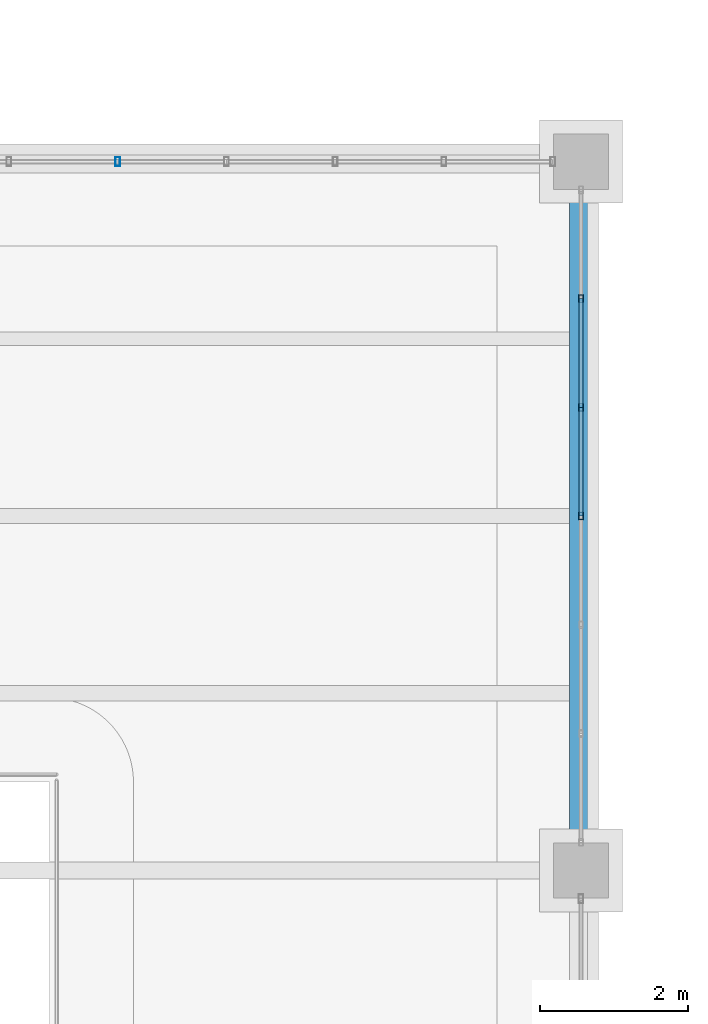
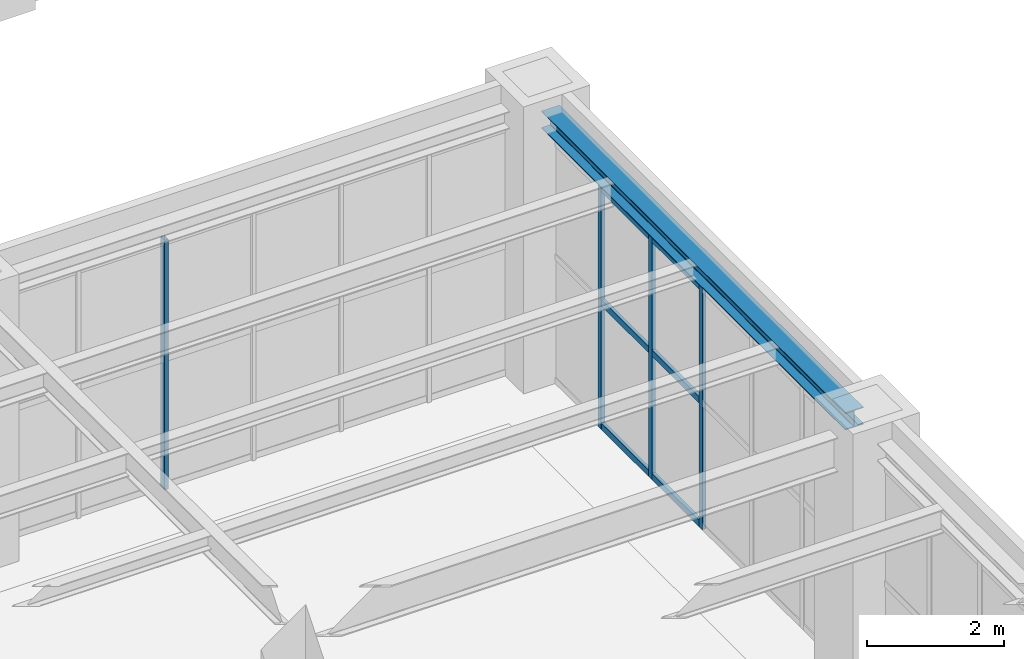
# One storey, part 28 of 174: 10 members, 1 beam, 2 elements without a shape of their own.
"""IFC4 building model written with IfcOpenShell, lengths in metres."""

import ifcopenshell
import ifcopenshell.guid

model = None  # the IFC model being written
_history = None  # IfcOwnerHistory: only IFC2X3 demands one
_inside = {}  # id of a spatial element -> (the spatial element, [elements in it])
_under = {}  # id of a project, library or spatial element -> (it, [spatial elements below it])
_declared = {}  # id of a project -> (the project, [libraries it declares])
_typed = {}  # id of a type object -> (the type object, [elements of that type])
_made_of = {}  # id of a material, layer set ... -> (it, [elements and type objects made of it])


def new_model(schema):
    """Start an empty IFC model of exactly this schema.

    Asked for "IFC4X3", IfcOpenShell would pick the latest addendum, in which some entities
    have other attributes; the version numbers below select the first issue.
    IFC2X3 requires an IfcOwnerHistory on every rooted entity: one is made here for all.
    """
    global model, _history
    if schema == "IFC4X3":
        model = ifcopenshell.file(schema_version=(4, 3, 0, 0))
    else:
        model = ifcopenshell.file(schema=schema)
    _inside.clear()
    _under.clear()
    _declared.clear()
    _typed.clear()
    _made_of.clear()
    _history = None
    if model.schema == "IFC2X3":
        org = make("IfcOrganization", Name="unknown")
        user = make(
            "IfcPersonAndOrganization",
            ThePerson=make("IfcPerson", FamilyName="unknown"),
            TheOrganization=org,
        )
        app = make(
            "IfcApplication",
            ApplicationDeveloper=org,
            Version="unknown",
            ApplicationFullName="unknown",
            ApplicationIdentifier="unknown",
        )
        _history = make(
            "IfcOwnerHistory",
            OwningUser=user,
            OwningApplication=app,
            ChangeAction="ADDED",
            CreationDate=0,
        )
    return model


def make(cls, **values):
    """One entity of the class cls with the attributes given. An attribute that is None is left unset."""
    return model.create_entity(
        cls, **{name: value for name, value in values.items() if value is not None}
    )


def rooted(cls, **values):
    """An entity with a GlobalId (a new one), such as an element, a storey or a relation."""
    return make(cls, GlobalId=ifcopenshell.guid.new(), OwnerHistory=_history, **values)


def si_unit(unit_type, name, prefix=None):
    """IfcSIUnit, for example si_unit("LENGTHUNIT", "METRE", prefix="MILLI")."""
    return make("IfcSIUnit", UnitType=unit_type, Prefix=prefix, Name=name)


def assignment(units):
    """IfcUnitAssignment: the units of a project."""
    return None if units is None else make("IfcUnitAssignment", Units=units)


def point(xyz):
    """IfcCartesianPoint."""
    return None if xyz is None else make("IfcCartesianPoint", Coordinates=xyz)


def direction(xyz):
    """IfcDirection."""
    return None if xyz is None else make("IfcDirection", DirectionRatios=xyz)


def frame(location, z_axis=None, x_axis=None):
    """IfcAxis2Placement3D, a coordinate frame: its origin and axes. An axis left out is left unset."""
    return make(
        "IfcAxis2Placement3D",
        Location=point(location),
        Axis=direction(z_axis),
        RefDirection=direction(x_axis),
    )


def frame_2d(location, x_axis=None):
    """IfcAxis2Placement2D, a coordinate frame in the plane: its origin and x axis."""
    return make(
        "IfcAxis2Placement2D", Location=point(location), RefDirection=direction(x_axis)
    )


def origin():
    """The frame at (0, 0, 0) with its axes left unset."""
    return frame((0.0, 0.0, 0.0))


def origin_2d():
    """The frame at (0, 0) in the plane with its x axis left unset."""
    return frame_2d((0.0, 0.0))


def place(relative_to, where):
    """IfcLocalPlacement: puts the frame where relative to a parent placement (None: the world)."""
    return make(
        "IfcLocalPlacement", PlacementRelTo=relative_to, RelativePlacement=where
    )


def context(
    kind, dimensions, precision=None, world=None, true_north=None, identifier=None
):
    """IfcGeometricRepresentationContext, for example the 3D "Model" context."""
    return make(
        "IfcGeometricRepresentationContext",
        ContextIdentifier=identifier,
        ContextType=kind,
        CoordinateSpaceDimension=dimensions,
        Precision=precision,
        WorldCoordinateSystem=world,
        TrueNorth=true_north,
    )


def subcontext(parent, identifier, kind, view, scale=None):
    """IfcGeometricRepresentationSubContext, for example "Body" below "Model"."""
    return make(
        "IfcGeometricRepresentationSubContext",
        ContextIdentifier=identifier,
        ContextType=kind,
        ParentContext=parent,
        TargetScale=scale,
        TargetView=view,
    )


def project(units=None, contexts=None):
    """IfcProject with its units and contexts."""
    return rooted(
        "IfcProject",
        Name="project",
        RepresentationContexts=contexts,
        UnitsInContext=assignment(units),
    )


def spatial(cls, under=None, at=None, **own):
    """A site, building, storey or space (cls), placed at a placement, below another one or the project."""
    s = rooted(cls, ObjectPlacement=at, **own)
    if under is not None:
        _under.setdefault(under.id(), (under, []))[1].append(s)
    return s


def profile(cls, at=None, kind="AREA", **sizes):
    """A parametric profile (cls). Its sizes go by their IFC names, for example OverallWidth=200.0."""
    return make(cls, ProfileType=kind, Position=at, **sizes)


def hollow_rectangle(**sizes):
    """IfcRectangleHollowProfileDef."""
    return profile("IfcRectangleHollowProfileDef", **sizes)


def i_section(**sizes):
    """IfcIShapeProfileDef."""
    return profile("IfcIShapeProfileDef", **sizes)


def extrude(swept, where, along, depth):
    """IfcExtrudedAreaSolid: the profile swept, set in the frame where, extruded along a direction by depth."""
    return make(
        "IfcExtrudedAreaSolid",
        SweptArea=swept,
        Position=where,
        ExtrudedDirection=direction(along),
        Depth=depth,
    )


def shape(context_of_items, identifier, shape_type, items):
    """IfcShapeRepresentation: the items that make up one representation, for example the "Body"."""
    return make(
        "IfcShapeRepresentation",
        ContextOfItems=context_of_items,
        RepresentationIdentifier=identifier,
        RepresentationType=shape_type,
        Items=items,
    )


def material(Name=None, Category=None):
    """IfcMaterial."""
    return make("IfcMaterial", Name=Name, Category=Category)


def material_profile(
    of_material, cross_section, Name=None, Category=None, Priority=None
):
    """IfcMaterialProfile: a cross section and its material."""
    return make(
        "IfcMaterialProfile",
        Name=Name,
        Material=of_material,
        Profile=cross_section,
        Priority=Priority,
        Category=Category,
    )


def profile_set(profiles, Name=None, composite=None):
    """IfcMaterialProfileSet."""
    return make(
        "IfcMaterialProfileSet",
        Name=Name,
        MaterialProfiles=profiles,
        CompositeProfile=composite,
    )


def made_of(thing, what):
    """Note that an element or type object is made of a material, layer set ...; save() writes the relation."""
    if what is not None:
        _made_of.setdefault(what.id(), (what, []))[1].append(thing)
    return thing


def type_object(cls, material=None, **own):
    """A type object (cls), such as IfcWallType, which elements share."""
    return made_of(rooted(cls, **own), material)


def element(
    cls,
    number,
    at=None,
    inside=None,
    cuts=None,
    type_object=None,
    material=None,
    context=None,
    identifier="Body",
    shape_type=None,
    held_by="IfcProductDefinitionShape",
    body=None,
    shapes=None,
    **own,
):
    """One element of the class cls, such as IfcWall. Its Tag is "e" and its number.

    at: its placement. inside: the storey or other place that contains it. cuts: it is an
    opening in that element (IfcRelVoidsElement). A single representation is given by context,
    identifier, shape_type and body (its items); several are given by shapes. held_by: the class
    of the entity that holds the representations. save() writes the other relations.
    """
    e = rooted(cls, Tag="e%d" % number, ObjectPlacement=at, **own)
    if body is not None:
        shapes = [shape(context, identifier, shape_type, body)]
    if shapes is not None:
        e.Representation = make(held_by, Representations=shapes)
    if inside is not None:
        _inside.setdefault(inside.id(), (inside, []))[1].append(e)
    if cuts is not None:
        rooted(
            "IfcRelVoidsElement", RelatingBuildingElement=cuts, RelatedOpeningElement=e
        )
    if type_object is not None:
        _typed.setdefault(type_object.id(), (type_object, []))[1].append(e)
    return made_of(e, material)


def aggregate(whole, parts):
    """IfcRelAggregates: a whole, such as a stair, and the parts it consists of."""
    return rooted("IfcRelAggregates", RelatingObject=whole, RelatedObjects=parts)


def save(model, path):
    """Write the relations noted so far, then the file.

    IfcRelAggregates (storeys below a building ...), IfcRelContainedInSpatialStructure (elements
    in a storey), IfcRelDefinesByType, IfcRelAssociatesMaterial and IfcRelDeclares: one each for
    every whole, place, type object, material and project.
    """
    for whole, parts in _under.values():
        aggregate(whole, parts)
    for where, things in _inside.values():
        rooted(
            "IfcRelContainedInSpatialStructure",
            RelatedElements=things,
            RelatingStructure=where,
        )
    for kind, things in _typed.values():
        rooted("IfcRelDefinesByType", RelatedObjects=things, RelatingType=kind)
    for what, things in _made_of.values():
        rooted("IfcRelAssociatesMaterial", RelatedObjects=things, RelatingMaterial=what)
    for by, libraries in _declared.values():
        rooted("IfcRelDeclares", RelatingContext=by, RelatedDefinitions=libraries)
    model.write(path)


model = new_model("IFC4")

# Units and contexts
model_context = context("Model", 3, precision=1e-05, world=origin(), true_north=direction((0.0, 1.0)))
body_context = subcontext(model_context, "Body", "Model", "MODEL_VIEW")
ifc_project = project(units=[si_unit("LENGTHUNIT", "METRE"), si_unit("AREAUNIT", "SQUARE_METRE"), si_unit("VOLUMEUNIT", "CUBIC_METRE"), si_unit("PLANEANGLEUNIT", "RADIAN"), si_unit("MASSUNIT", "GRAM", prefix="KILO")], contexts=[model_context])

# Site, building, storey
site_placement = place(None, origin())
site = spatial("IfcSite", under=ifc_project, at=site_placement, CompositionType="ELEMENT")
building_placement = place(site_placement, origin())
building = spatial("IfcBuilding", under=site, at=building_placement, Name="Mavantir Sound Aquarium", CompositionType="ELEMENT")
storey_placement = place(building_placement, frame((0.0, 0.0, 5.39990234375)))
storey = spatial("IfcBuildingStorey", under=building, at=storey_placement, Name="L01", CompositionType="ELEMENT", Elevation=5.39990234375)

# Beam
ifc_material_1 = material(Name="Structural Steel ASTM A992 Gr50", Category="steel")
ifc_material_profile_1 = material_profile(ifc_material_1, i_section(OverallWidth=0.304931640625, OverallDepth=0.30810546875, WebThickness=0.010009765625, FlangeThickness=0.015380859375, FilletRadius=0.014892578125, at=origin_2d()), Name="W310X97")
ifc_profile_set_1 = profile_set([ifc_material_profile_1], Name="Structural Steel ASTM A992 Gr50")
beam_type = type_object("IfcBeamType", Name="BM-W310X97-E", PredefinedType="SPANDREL", material=ifc_profile_set_1)
beam_placement = place(storey_placement, frame((38.39990234375, 19.574951171875, 4.6220703125), z_axis=(0.0, 1.0, 0.0), x_axis=(-1.0, 0.0, 0.0)))
element("IfcBeam", 1, at=beam_placement, inside=storey, type_object=beam_type, Name="L01 primary girder SS-31A 1236", PredefinedType="SPANDREL", context=body_context, shape_type="SweptSolid", body=[
    extrude(i_section(OverallWidth=0.304931640625, OverallDepth=0.30810546875, WebThickness=0.010009765625, FlangeThickness=0.015380859375, FilletRadius=0.014892578125, at=origin_2d()), origin(), (0.0, 0.0, 1.0), 8.85009765625),
])

# Curtain wall, members
ifc_material_2 = material(Name="Anodised Marine Aluminium and Low-E Glass", Category="aluminium")
curtain_wall_type_1 = type_object("IfcCurtainWallType", Name="CW-T21", PredefinedType="USERDEFINED", material=ifc_material_2)
curtain_wall_1_placement = place(storey_placement, origin())
curtain_wall_1 = element("IfcCurtainWall", 2, at=curtain_wall_1_placement, inside=storey, type_object=curtain_wall_type_1, Name="L01 unitised curtain wall CW-21 69", ObjectType="UNITISED GLAZING", PredefinedType="USERDEFINED")
ifc_material_3 = material(Name="Anodised Marine Aluminium 6063-T6", Category="aluminium")
ifc_material_profile_2 = material_profile(ifc_material_3, hollow_rectangle(XDim=0.06005859375, YDim=0.10009765625, WallThickness=0.00390625, at=origin_2d()), Name="ALU-MULLION-100X60")
ifc_profile_set_2 = profile_set([ifc_material_profile_2], Name="Anodised Marine Aluminium 6063-T6")
member_type_1 = type_object("IfcMemberType", Name="CW-MUL-100", PredefinedType="MULLION", material=ifc_profile_set_2)
member_1_placement = place(storey_placement, frame((38.39990234375, 24.0, 0.0), z_axis=(0.0, 0.0, 1.0), x_axis=(1.0, 0.0, 0.0)))
member_1 = element("IfcMember", 3, at=member_1_placement, type_object=member_type_1, Name="CW-L01-069 vertical mullion 4", PredefinedType="MULLION", context=body_context, shape_type="SweptSolid", body=[
    extrude(hollow_rectangle(XDim=0.06005859375, YDim=0.10009765625, WallThickness=0.00390625, at=origin_2d()), origin(), (0.0, 0.0, 1.0), 4.3291015625),
])
member_2_placement = place(storey_placement, frame((38.39990234375, 25.472412109375, 0.0), z_axis=(0.0, 0.0, 1.0), x_axis=(1.0, 0.0, 0.0)))
member_2 = element("IfcMember", 4, at=member_2_placement, type_object=member_type_1, Name="CW-L01-069 vertical mullion 5", PredefinedType="MULLION", context=body_context, shape_type="SweptSolid", body=[
    extrude(hollow_rectangle(XDim=0.06005859375, YDim=0.10009765625, WallThickness=0.00390625, at=origin_2d()), origin(), (0.0, 0.0, 1.0), 4.3291015625),
])
member_3_placement = place(storey_placement, frame((38.39990234375, 26.944580078125, 0.0), z_axis=(0.0, 0.0, 1.0), x_axis=(1.0, 0.0, 0.0)))
member_3 = element("IfcMember", 5, at=member_3_placement, type_object=member_type_1, Name="CW-L01-069 vertical mullion 6", PredefinedType="MULLION", context=body_context, shape_type="SweptSolid", body=[
    extrude(hollow_rectangle(XDim=0.06005859375, YDim=0.10009765625, WallThickness=0.00390625, at=origin_2d()), origin(), (0.0, 0.0, 1.0), 4.3291015625),
])

# Curtain wall, member
curtain_wall_type_2 = type_object("IfcCurtainWallType", Name="CW-T22", PredefinedType="USERDEFINED", material=ifc_material_2)
curtain_wall_2_placement = place(storey_placement, origin())
curtain_wall_2 = element("IfcCurtainWall", 6, at=curtain_wall_2_placement, inside=storey, type_object=curtain_wall_type_2, Name="L01 unitised curtain wall CW-22 70", ObjectType="UNITISED GLAZING", PredefinedType="USERDEFINED")
ifc_material_profile_3 = material_profile(ifc_material_3, hollow_rectangle(XDim=0.06494140625, YDim=0.1201171875, WallThickness=0.00390625, at=origin_2d()), Name="ALU-MULLION-120X65")
ifc_profile_set_3 = profile_set([ifc_material_profile_3], Name="Anodised Marine Aluminium 6063-T6")
member_type_2 = type_object("IfcMemberType", Name="CW-MUL-120", PredefinedType="MULLION", material=ifc_profile_set_3)
member_4_placement = place(storey_placement, frame((32.127685546875, 28.800048828125, 0.0), z_axis=(0.0, 0.0, 1.0), x_axis=(1.0, 0.0, 0.0)))
member_4 = element("IfcMember", 7, at=member_4_placement, type_object=member_type_2, Name="CW-L01-070 vertical mullion 5", PredefinedType="MULLION", context=body_context, shape_type="SweptSolid", body=[
    extrude(hollow_rectangle(XDim=0.06494140625, YDim=0.1201171875, WallThickness=0.00390625, at=origin_2d()), origin(), (0.0, 0.0, 1.0), 4.43798828125),
])
aggregate(curtain_wall_2, [member_4])

# Member
ifc_material_profile_4 = material_profile(ifc_material_3, hollow_rectangle(XDim=0.06005859375, YDim=0.110107421875, WallThickness=0.00390625, at=origin_2d()), Name="ALU-TRANSOM-110X60")
ifc_profile_set_4 = profile_set([ifc_material_profile_4], Name="Anodised Marine Aluminium 6063-T6")
member_type_3 = type_object("IfcMemberType", Name="CW-TRN-110", PredefinedType="USERDEFINED", material=ifc_profile_set_4)
member_5_placement = place(storey_placement, frame((38.39990234375, 24.0, 0.05517578125), z_axis=(0.0, 1.0, 0.0), x_axis=(-1.0, 0.0, 0.0)))
member_5 = element("IfcMember", 8, at=member_5_placement, type_object=member_type_3, Name="CW-L01-069 transom 4.1", ObjectType="TRANSOM", PredefinedType="USERDEFINED", context=body_context, shape_type="SweptSolid", body=[
    extrude(hollow_rectangle(XDim=0.06005859375, YDim=0.110107421875, WallThickness=0.00390625, at=origin_2d()), origin(), (0.0, 0.0, 1.0), 1.472412109375),
])

member_6_placement = place(storey_placement, frame((38.39990234375, 24.0, 2.251220703125), z_axis=(0.0, 1.0, 0.0), x_axis=(-1.0, 0.0, 0.0)))
member_6 = element("IfcMember", 9, at=member_6_placement, type_object=member_type_3, Name="CW-L01-069 transom 4.2", ObjectType="TRANSOM", PredefinedType="USERDEFINED", context=body_context, shape_type="SweptSolid", body=[
    extrude(hollow_rectangle(XDim=0.06005859375, YDim=0.110107421875, WallThickness=0.00390625, at=origin_2d()), origin(), (0.0, 0.0, 1.0), 1.472412109375),
])

member_7_placement = place(storey_placement, frame((38.39990234375, 24.0, 4.274169921875), z_axis=(0.0, 1.0, 0.0), x_axis=(-1.0, 0.0, 0.0)))
member_7 = element("IfcMember", 10, at=member_7_placement, type_object=member_type_3, Name="CW-L01-069 transom 4.3", ObjectType="TRANSOM", PredefinedType="USERDEFINED", context=body_context, shape_type="SweptSolid", body=[
    extrude(hollow_rectangle(XDim=0.06005859375, YDim=0.110107421875, WallThickness=0.00390625, at=origin_2d()), origin(), (0.0, 0.0, 1.0), 1.472412109375),
])

member_8_placement = place(storey_placement, frame((38.39990234375, 25.472412109375, 0.05517578125), z_axis=(0.0, 1.0, 0.0), x_axis=(-1.0, 0.0, 0.0)))
member_8 = element("IfcMember", 11, at=member_8_placement, type_object=member_type_3, Name="CW-L01-069 transom 5.1", ObjectType="TRANSOM", PredefinedType="USERDEFINED", context=body_context, shape_type="SweptSolid", body=[
    extrude(hollow_rectangle(XDim=0.06005859375, YDim=0.110107421875, WallThickness=0.00390625, at=origin_2d()), origin(), (0.0, 0.0, 1.0), 1.47216796875),
])

member_9_placement = place(storey_placement, frame((38.39990234375, 25.472412109375, 2.251220703125), z_axis=(0.0, 1.0, 0.0), x_axis=(-1.0, 0.0, 0.0)))
member_9 = element("IfcMember", 12, at=member_9_placement, type_object=member_type_3, Name="CW-L01-069 transom 5.2", ObjectType="TRANSOM", PredefinedType="USERDEFINED", context=body_context, shape_type="SweptSolid", body=[
    extrude(hollow_rectangle(XDim=0.06005859375, YDim=0.110107421875, WallThickness=0.00390625, at=origin_2d()), origin(), (0.0, 0.0, 1.0), 1.47216796875),
])

member_10_placement = place(storey_placement, frame((38.39990234375, 25.472412109375, 4.274169921875), z_axis=(0.0, 1.0, 0.0), x_axis=(-1.0, 0.0, 0.0)))
member_10 = element("IfcMember", 13, at=member_10_placement, type_object=member_type_3, Name="CW-L01-069 transom 5.3", ObjectType="TRANSOM", PredefinedType="USERDEFINED", context=body_context, shape_type="SweptSolid", body=[
    extrude(hollow_rectangle(XDim=0.06005859375, YDim=0.110107421875, WallThickness=0.00390625, at=origin_2d()), origin(), (0.0, 0.0, 1.0), 1.47216796875),
])

aggregate(curtain_wall_1, [member_1, member_2, member_3, member_5, member_6, member_7, member_8, member_9, member_10])

save(model, "model.ifc")
